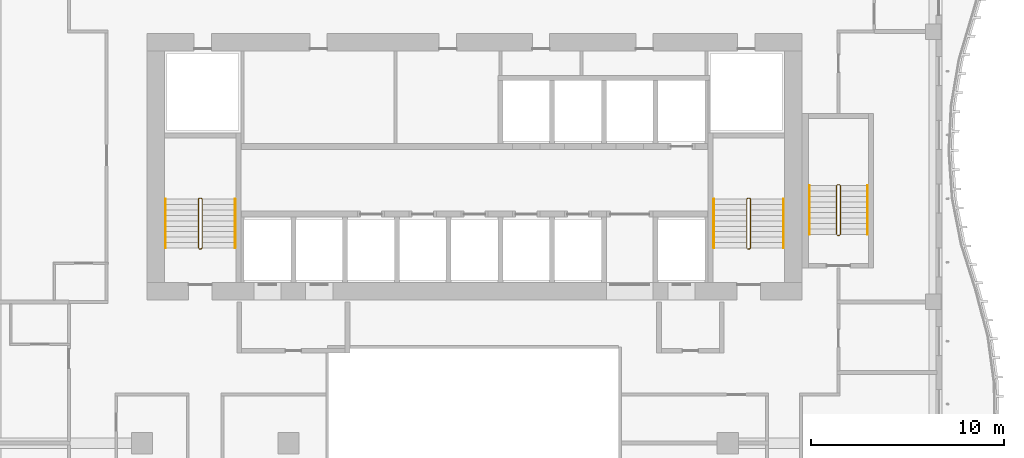
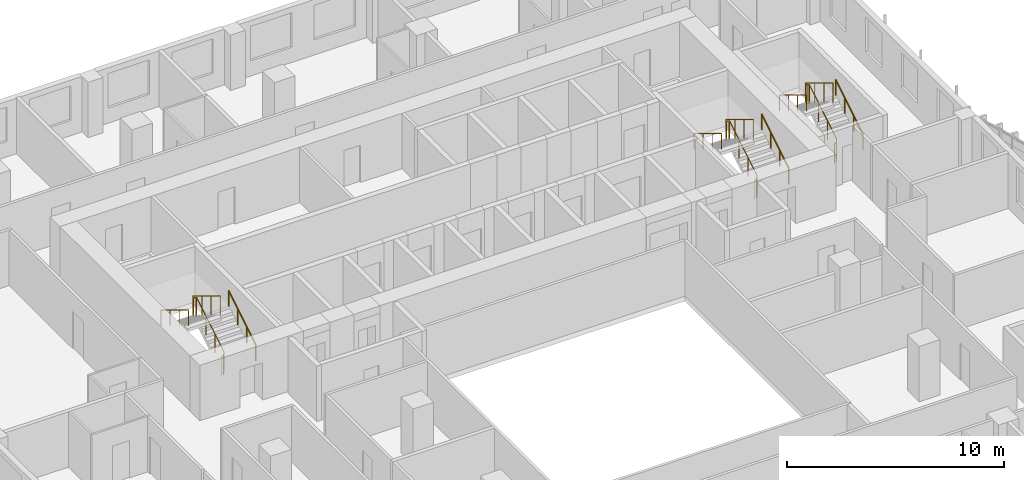
# One storey, part 19 of 20: 9 railings.
"""IFC4 building model written with IfcOpenShell, lengths in metres."""

from ifc_helpers import new_model, si_unit, direction, frame, origin, origin_2d, place, context, subcontext, project, spatial, circle, extrude, material, type_object, element, save


model = new_model("IFC4")

# Units and contexts
model_context = context("Model", 3, precision=1e-05, world=origin(), true_north=direction((0.0, 1.0)))
body_context = subcontext(model_context, "Body", "Model", "MODEL_VIEW")
ifc_project = project(units=[si_unit("LENGTHUNIT", "METRE"), si_unit("AREAUNIT", "SQUARE_METRE"), si_unit("VOLUMEUNIT", "CUBIC_METRE"), si_unit("PLANEANGLEUNIT", "RADIAN"), si_unit("MASSUNIT", "GRAM", prefix="KILO")], contexts=[model_context])

# Site, building, storey
site_placement = place(None, origin())
site = spatial("IfcSite", under=ifc_project, at=site_placement, CompositionType="ELEMENT")
building_placement = place(site_placement, origin())
building = spatial("IfcBuilding", under=site, at=building_placement, Name="Kilnfold Tower and Market Hall", CompositionType="ELEMENT")
storey_placement = place(building_placement, frame((0.0, 0.0, 157.5)))
storey = spatial("IfcBuildingStorey", under=building, at=storey_placement, Name="L36", CompositionType="ELEMENT", Elevation=157.5)

# Railings
ifc_material_1 = material(Name="Stainless steel 316", Category="steel")
railing_type_1 = type_object("IfcRailingType", Name="CORE STAIR GUARD 1100", PredefinedType="GUARDRAIL", material=ifc_material_1)
railing_1_placement = place(storey_placement, frame((-13.199951171875, 10.75, 0.0)))
element("IfcRailing", 1, at=railing_1_placement, inside=storey, type_object=railing_type_1, Name="L36 ST1 stair guard 1", PredefinedType="GUARDRAIL", context=body_context, shape_type="SweptSolid", body=[
    extrude(circle(Radius=0.02392578125, at=origin_2d()), frame((0.0, 0.0, 1.076171875), z_axis=(1.0, 0.0, 0.0), x_axis=(0.0, 1.0, 0.0)), (0.0, 0.0, 1.0), 0.099853515625),
    extrude(circle(Radius=0.02392578125, at=origin_2d()), frame((0.099853515625, 0.0, 1.076171875), z_axis=(0.271895245746, 0.271895245746, 0.923117517265), x_axis=(-0.707106781187, 0.707106781187, 0.0)), (0.0, 0.0, 1.0), 0.18408203125),
    extrude(circle(Radius=0.02392578125, at=origin_2d()), frame((0.14990234375, 0.050048828125, 1.24609375), z_axis=(0.0, 0.85478489116, 0.518982456201), x_axis=(-1.0, 0.0, 0.0)), (0.0, 0.0, 1.0), 2.9482421875),
    extrude(circle(Radius=0.02392578125, at=origin_2d()), frame((0.14990234375, 2.570068359375, 2.77587890625), z_axis=(-0.707106781187, 0.707106781187, 0.0), x_axis=(-0.707106781187, -0.707106781187, 0.0)), (0.0, 0.0, 1.0), 0.07080078125),
    extrude(circle(Radius=0.02392578125, at=origin_2d()), frame((0.099853515625, 2.6201171875, 2.77587890625), z_axis=(-1.0, 0.0, 0.0), x_axis=(0.0, -1.0, 0.0)), (0.0, 0.0, 1.0), 0.099853515625),
    extrude(circle(Radius=0.02392578125, at=origin_2d()), frame((0.0, 2.6201171875, 2.77587890625), z_axis=(-0.271562723297, -0.271562723297, 0.923313259209), x_axis=(0.707106781187, -0.707106781187, 0.0)), (0.0, 0.0, 1.0), 0.184326171875),
    extrude(circle(Radius=0.02392578125, at=origin_2d()), frame((-0.050048828125, 2.570068359375, 2.9462890625), z_axis=(0.0, -0.854821627497, 0.518921945155), x_axis=(1.0, 0.0, 0.0)), (0.0, 0.0, 1.0), 2.947998046875),
    extrude(circle(Radius=0.02099609375, at=origin_2d()), origin(), (0.0, 0.0, 1.0), 1.052001953125),
    extrude(circle(Radius=0.02099609375, at=origin_2d()), frame((0.099853515625, 0.0, 0.0)), (0.0, 0.0, 1.0), 1.052001953125),
    extrude(circle(Radius=0.02099609375, at=origin_2d()), frame((0.14990234375, 0.050048828125, 0.169921875)), (0.0, 0.0, 1.0), 1.052001953125),
    extrude(circle(Radius=0.02099609375, at=origin_2d()), frame((0.14990234375, 0.89013671875, 0.679931640625)), (0.0, 0.0, 1.0), 1.052001953125),
    extrude(circle(Radius=0.02099609375, at=origin_2d()), frame((0.14990234375, 1.72998046875, 1.18994140625)), (0.0, 0.0, 1.0), 1.052001953125),
    extrude(circle(Radius=0.02099609375, at=origin_2d()), frame((0.14990234375, 2.570068359375, 1.699951171875)), (0.0, 0.0, 1.0), 1.052001953125),
    extrude(circle(Radius=0.02099609375, at=origin_2d()), frame((0.099853515625, 2.6201171875, 1.699951171875)), (0.0, 0.0, 1.0), 1.052001953125),
    extrude(circle(Radius=0.02099609375, at=origin_2d()), frame((0.0, 2.6201171875, 1.699951171875)), (0.0, 0.0, 1.0), 1.052001953125),
    extrude(circle(Radius=0.02099609375, at=origin_2d()), frame((-0.050048828125, 2.570068359375, 1.8701171875)), (0.0, 0.0, 1.0), 1.052001953125),
    extrude(circle(Radius=0.02099609375, at=origin_2d()), frame((-0.050048828125, 1.72998046875, 2.380126953125)), (0.0, 0.0, 1.0), 1.052001953125),
    extrude(circle(Radius=0.02099609375, at=origin_2d()), frame((-0.050048828125, 0.89013671875, 2.889892578125)), (0.0, 0.0, 1.0), 1.052001953125),
    extrude(circle(Radius=0.02099609375, at=origin_2d()), frame((-0.050048828125, 0.050048828125, 3.39990234375)), (0.0, 0.0, 1.0), 1.052001953125),
])
railing_2_placement = place(storey_placement, frame((15.199951171875, 10.75, 0.0)))
element("IfcRailing", 2, at=railing_2_placement, inside=storey, type_object=railing_type_1, Name="L36 ST2 stair guard 1", PredefinedType="GUARDRAIL", context=body_context, shape_type="SweptSolid", body=[
    extrude(circle(Radius=0.02392578125, at=origin_2d()), frame((0.0, 0.0, 1.076171875), z_axis=(1.0, 0.0, 0.0), x_axis=(0.0, 1.0, 0.0)), (0.0, 0.0, 1.0), 0.10009765625),
    extrude(circle(Radius=0.02392578125, at=origin_2d()), frame((0.10009765625, 0.0, 1.076171875), z_axis=(0.271895245746, 0.271895245746, 0.923117517265), x_axis=(-0.707106781187, 0.707106781187, 0.0)), (0.0, 0.0, 1.0), 0.18408203125),
    extrude(circle(Radius=0.02392578125, at=origin_2d()), frame((0.150146484375, 0.050048828125, 1.24609375), z_axis=(0.0, 0.85478489116, 0.518982456201), x_axis=(-1.0, 0.0, 0.0)), (0.0, 0.0, 1.0), 2.9482421875),
    extrude(circle(Radius=0.02392578125, at=origin_2d()), frame((0.150146484375, 2.570068359375, 2.77587890625), z_axis=(-0.707106781187, 0.707106781187, 0.0), x_axis=(-0.707106781187, -0.707106781187, 0.0)), (0.0, 0.0, 1.0), 0.07080078125),
    extrude(circle(Radius=0.02392578125, at=origin_2d()), frame((0.10009765625, 2.6201171875, 2.77587890625), z_axis=(-1.0, 0.0, 0.0), x_axis=(0.0, -1.0, 0.0)), (0.0, 0.0, 1.0), 0.10009765625),
    extrude(circle(Radius=0.02392578125, at=origin_2d()), frame((0.0, 2.6201171875, 2.77587890625), z_axis=(-0.271562723297, -0.271562723297, 0.923313259209), x_axis=(0.707106781187, -0.707106781187, 0.0)), (0.0, 0.0, 1.0), 0.184326171875),
    extrude(circle(Radius=0.02392578125, at=origin_2d()), frame((-0.050048828125, 2.570068359375, 2.9462890625), z_axis=(0.0, -0.854821627497, 0.518921945155), x_axis=(1.0, 0.0, 0.0)), (0.0, 0.0, 1.0), 2.947998046875),
    extrude(circle(Radius=0.02099609375, at=origin_2d()), origin(), (0.0, 0.0, 1.0), 1.052001953125),
    extrude(circle(Radius=0.02099609375, at=origin_2d()), frame((0.10009765625, 0.0, 0.0)), (0.0, 0.0, 1.0), 1.052001953125),
    extrude(circle(Radius=0.02099609375, at=origin_2d()), frame((0.150146484375, 0.050048828125, 0.169921875)), (0.0, 0.0, 1.0), 1.052001953125),
    extrude(circle(Radius=0.02099609375, at=origin_2d()), frame((0.150146484375, 0.89013671875, 0.679931640625)), (0.0, 0.0, 1.0), 1.052001953125),
    extrude(circle(Radius=0.02099609375, at=origin_2d()), frame((0.150146484375, 1.72998046875, 1.18994140625)), (0.0, 0.0, 1.0), 1.052001953125),
    extrude(circle(Radius=0.02099609375, at=origin_2d()), frame((0.150146484375, 2.570068359375, 1.699951171875)), (0.0, 0.0, 1.0), 1.052001953125),
    extrude(circle(Radius=0.02099609375, at=origin_2d()), frame((0.10009765625, 2.6201171875, 1.699951171875)), (0.0, 0.0, 1.0), 1.052001953125),
    extrude(circle(Radius=0.02099609375, at=origin_2d()), frame((0.0, 2.6201171875, 1.699951171875)), (0.0, 0.0, 1.0), 1.052001953125),
    extrude(circle(Radius=0.02099609375, at=origin_2d()), frame((-0.050048828125, 2.570068359375, 1.8701171875)), (0.0, 0.0, 1.0), 1.052001953125),
    extrude(circle(Radius=0.02099609375, at=origin_2d()), frame((-0.050048828125, 1.72998046875, 2.380126953125)), (0.0, 0.0, 1.0), 1.052001953125),
    extrude(circle(Radius=0.02099609375, at=origin_2d()), frame((-0.050048828125, 0.89013671875, 2.889892578125)), (0.0, 0.0, 1.0), 1.052001953125),
    extrude(circle(Radius=0.02099609375, at=origin_2d()), frame((-0.050048828125, 0.050048828125, 3.39990234375)), (0.0, 0.0, 1.0), 1.052001953125),
])
railing_3_placement = place(storey_placement, frame((19.85009765625, 11.449951171875, 0.0)))
element("IfcRailing", 3, at=railing_3_placement, inside=storey, type_object=railing_type_1, Name="L36 ST5 stair guard 1", PredefinedType="GUARDRAIL", context=body_context, shape_type="SweptSolid", body=[
    extrude(circle(Radius=0.02392578125, at=origin_2d()), frame((0.0, 0.0, 1.076171875), z_axis=(1.0, 0.0, 0.0), x_axis=(0.0, 1.0, 0.0)), (0.0, 0.0, 1.0), 0.099853515625),
    extrude(circle(Radius=0.02392578125, at=origin_2d()), frame((0.099853515625, 0.0, 1.076171875), z_axis=(0.271895245746, 0.271895245746, 0.923117517265), x_axis=(-0.707106781187, 0.707106781187, 0.0)), (0.0, 0.0, 1.0), 0.18408203125),
    extrude(circle(Radius=0.02392578125, at=origin_2d()), frame((0.14990234375, 0.050048828125, 1.24609375), z_axis=(0.0, 0.85478489116, 0.518982456201), x_axis=(-1.0, 0.0, 0.0)), (0.0, 0.0, 1.0), 2.9482421875),
    extrude(circle(Radius=0.02392578125, at=origin_2d()), frame((0.14990234375, 2.570068359375, 2.77587890625), z_axis=(-0.707106781187, 0.707106781187, 0.0), x_axis=(-0.707106781187, -0.707106781187, 0.0)), (0.0, 0.0, 1.0), 0.07080078125),
    extrude(circle(Radius=0.02392578125, at=origin_2d()), frame((0.099853515625, 2.6201171875, 2.77587890625), z_axis=(-1.0, 0.0, 0.0), x_axis=(0.0, -1.0, 0.0)), (0.0, 0.0, 1.0), 0.099853515625),
    extrude(circle(Radius=0.02392578125, at=origin_2d()), frame((0.0, 2.6201171875, 2.77587890625), z_axis=(-0.271562723297, -0.271562723297, 0.923313259209), x_axis=(0.707106781187, -0.707106781187, 0.0)), (0.0, 0.0, 1.0), 0.184326171875),
    extrude(circle(Radius=0.02392578125, at=origin_2d()), frame((-0.050048828125, 2.570068359375, 2.9462890625), z_axis=(0.0, -0.854821627497, 0.518921945155), x_axis=(1.0, 0.0, 0.0)), (0.0, 0.0, 1.0), 2.947998046875),
    extrude(circle(Radius=0.02099609375, at=origin_2d()), origin(), (0.0, 0.0, 1.0), 1.052001953125),
    extrude(circle(Radius=0.02099609375, at=origin_2d()), frame((0.099853515625, 0.0, 0.0)), (0.0, 0.0, 1.0), 1.052001953125),
    extrude(circle(Radius=0.02099609375, at=origin_2d()), frame((0.14990234375, 0.050048828125, 0.169921875)), (0.0, 0.0, 1.0), 1.052001953125),
    extrude(circle(Radius=0.02099609375, at=origin_2d()), frame((0.14990234375, 0.89013671875, 0.679931640625)), (0.0, 0.0, 1.0), 1.052001953125),
    extrude(circle(Radius=0.02099609375, at=origin_2d()), frame((0.14990234375, 1.72998046875, 1.18994140625)), (0.0, 0.0, 1.0), 1.052001953125),
    extrude(circle(Radius=0.02099609375, at=origin_2d()), frame((0.14990234375, 2.570068359375, 1.699951171875)), (0.0, 0.0, 1.0), 1.052001953125),
    extrude(circle(Radius=0.02099609375, at=origin_2d()), frame((0.099853515625, 2.6201171875, 1.699951171875)), (0.0, 0.0, 1.0), 1.052001953125),
    extrude(circle(Radius=0.02099609375, at=origin_2d()), frame((0.0, 2.6201171875, 1.699951171875)), (0.0, 0.0, 1.0), 1.052001953125),
    extrude(circle(Radius=0.02099609375, at=origin_2d()), frame((-0.050048828125, 2.570068359375, 1.8701171875)), (0.0, 0.0, 1.0), 1.052001953125),
    extrude(circle(Radius=0.02099609375, at=origin_2d()), frame((-0.050048828125, 1.72998046875, 2.380126953125)), (0.0, 0.0, 1.0), 1.052001953125),
    extrude(circle(Radius=0.02099609375, at=origin_2d()), frame((-0.050048828125, 0.89013671875, 2.889892578125)), (0.0, 0.0, 1.0), 1.052001953125),
    extrude(circle(Radius=0.02099609375, at=origin_2d()), frame((-0.050048828125, 0.050048828125, 3.39990234375)), (0.0, 0.0, 1.0), 1.052001953125),
])
ifc_material_2 = material(Name="Stainless steel 316", Category="steel")
railing_type_2 = type_object("IfcRailingType", Name="CORE STAIR HANDRAIL 900", PredefinedType="HANDRAIL", material=ifc_material_2)
railing_4_placement = place(storey_placement, frame((-11.35009765625, 10.800048828125, 0.169921875)))
element("IfcRailing", 4, at=railing_4_placement, inside=storey, type_object=railing_type_2, Name="L36 ST1 stair handrail 1", PredefinedType="HANDRAIL", context=body_context, shape_type="SweptSolid", body=[
    extrude(circle(Radius=0.02392578125, at=origin_2d()), frame((0.0, 0.0, 0.8759765625), z_axis=(0.0, 0.85478489116, 0.518982456201), x_axis=(-1.0, 0.0, 0.0)), (0.0, 0.0, 1.0), 2.9482421875),
    extrude(circle(Radius=0.02099609375, at=origin_2d()), origin(), (0.0, 0.0, 1.0), 0.851806640625),
    extrude(circle(Radius=0.02099609375, at=origin_2d()), frame((0.0, 0.840087890625, 0.510009765625)), (0.0, 0.0, 1.0), 0.851806640625),
    extrude(circle(Radius=0.02099609375, at=origin_2d()), frame((0.0, 1.679931640625, 1.02001953125)), (0.0, 0.0, 1.0), 0.851806640625),
    extrude(circle(Radius=0.02099609375, at=origin_2d()), frame((0.0, 2.52001953125, 1.530029296875)), (0.0, 0.0, 1.0), 0.851806640625),
])
railing_5_placement = place(storey_placement, frame((-14.949951171875, 13.320068359375, 1.8701171875)))
element("IfcRailing", 5, at=railing_5_placement, inside=storey, type_object=railing_type_2, Name="L36 ST1 stair handrail 2", PredefinedType="HANDRAIL", context=body_context, shape_type="SweptSolid", body=[
    extrude(circle(Radius=0.02392578125, at=origin_2d()), frame((0.0, 0.0, 0.8759765625), z_axis=(0.0, -0.854821627497, 0.518921945155), x_axis=(1.0, 0.0, 0.0)), (0.0, 0.0, 1.0), 2.947998046875),
    extrude(circle(Radius=0.02099609375, at=origin_2d()), origin(), (0.0, 0.0, 1.0), 0.851806640625),
    extrude(circle(Radius=0.02099609375, at=origin_2d()), frame((0.0, -0.840087890625, 0.510009765625)), (0.0, 0.0, 1.0), 0.851806640625),
    extrude(circle(Radius=0.02099609375, at=origin_2d()), frame((0.0, -1.679931640625, 1.019775390625)), (0.0, 0.0, 1.0), 0.851806640625),
    extrude(circle(Radius=0.02099609375, at=origin_2d()), frame((0.0, -2.52001953125, 1.52978515625)), (0.0, 0.0, 1.0), 0.851806640625),
])
railing_6_placement = place(storey_placement, frame((17.050048828125, 10.800048828125, 0.169921875)))
element("IfcRailing", 6, at=railing_6_placement, inside=storey, type_object=railing_type_2, Name="L36 ST2 stair handrail 1", PredefinedType="HANDRAIL", context=body_context, shape_type="SweptSolid", body=[
    extrude(circle(Radius=0.02392578125, at=origin_2d()), frame((0.0, 0.0, 0.8759765625), z_axis=(0.0, 0.85478489116, 0.518982456201), x_axis=(-1.0, 0.0, 0.0)), (0.0, 0.0, 1.0), 2.9482421875),
    extrude(circle(Radius=0.02099609375, at=origin_2d()), origin(), (0.0, 0.0, 1.0), 0.851806640625),
    extrude(circle(Radius=0.02099609375, at=origin_2d()), frame((0.0, 0.840087890625, 0.510009765625)), (0.0, 0.0, 1.0), 0.851806640625),
    extrude(circle(Radius=0.02099609375, at=origin_2d()), frame((0.0, 1.679931640625, 1.02001953125)), (0.0, 0.0, 1.0), 0.851806640625),
    extrude(circle(Radius=0.02099609375, at=origin_2d()), frame((0.0, 2.52001953125, 1.530029296875)), (0.0, 0.0, 1.0), 0.851806640625),
])
railing_7_placement = place(storey_placement, frame((13.449951171875, 13.320068359375, 1.8701171875)))
element("IfcRailing", 7, at=railing_7_placement, inside=storey, type_object=railing_type_2, Name="L36 ST2 stair handrail 2", PredefinedType="HANDRAIL", context=body_context, shape_type="SweptSolid", body=[
    extrude(circle(Radius=0.02392578125, at=origin_2d()), frame((0.0, 0.0, 0.8759765625), z_axis=(0.0, -0.854821627497, 0.518921945155), x_axis=(1.0, 0.0, 0.0)), (0.0, 0.0, 1.0), 2.947998046875),
    extrude(circle(Radius=0.02099609375, at=origin_2d()), origin(), (0.0, 0.0, 1.0), 0.851806640625),
    extrude(circle(Radius=0.02099609375, at=origin_2d()), frame((0.0, -0.840087890625, 0.510009765625)), (0.0, 0.0, 1.0), 0.851806640625),
    extrude(circle(Radius=0.02099609375, at=origin_2d()), frame((0.0, -1.679931640625, 1.019775390625)), (0.0, 0.0, 1.0), 0.851806640625),
    extrude(circle(Radius=0.02099609375, at=origin_2d()), frame((0.0, -2.52001953125, 1.52978515625)), (0.0, 0.0, 1.0), 0.851806640625),
])
railing_8_placement = place(storey_placement, frame((21.39990234375, 11.5, 0.169921875)))
element("IfcRailing", 8, at=railing_8_placement, inside=storey, type_object=railing_type_2, Name="L36 ST5 stair handrail 1", PredefinedType="HANDRAIL", context=body_context, shape_type="SweptSolid", body=[
    extrude(circle(Radius=0.02392578125, at=origin_2d()), frame((0.0, 0.0, 0.8759765625), z_axis=(0.0, 0.85478489116, 0.518982456201), x_axis=(-1.0, 0.0, 0.0)), (0.0, 0.0, 1.0), 2.9482421875),
    extrude(circle(Radius=0.02099609375, at=origin_2d()), origin(), (0.0, 0.0, 1.0), 0.851806640625),
    extrude(circle(Radius=0.02099609375, at=origin_2d()), frame((0.0, 0.840087890625, 0.510009765625)), (0.0, 0.0, 1.0), 0.851806640625),
    extrude(circle(Radius=0.02099609375, at=origin_2d()), frame((0.0, 1.679931640625, 1.02001953125)), (0.0, 0.0, 1.0), 0.851806640625),
    extrude(circle(Radius=0.02099609375, at=origin_2d()), frame((0.0, 2.52001953125, 1.530029296875)), (0.0, 0.0, 1.0), 0.851806640625),
])
railing_9_placement = place(storey_placement, frame((18.39990234375, 14.02001953125, 1.8701171875)))
element("IfcRailing", 9, at=railing_9_placement, inside=storey, type_object=railing_type_2, Name="L36 ST5 stair handrail 2", PredefinedType="HANDRAIL", context=body_context, shape_type="SweptSolid", body=[
    extrude(circle(Radius=0.02392578125, at=origin_2d()), frame((0.0, 0.0, 0.8759765625), z_axis=(0.0, -0.854821627497, 0.518921945155), x_axis=(1.0, 0.0, 0.0)), (0.0, 0.0, 1.0), 2.947998046875),
    extrude(circle(Radius=0.02099609375, at=origin_2d()), origin(), (0.0, 0.0, 1.0), 0.851806640625),
    extrude(circle(Radius=0.02099609375, at=origin_2d()), frame((0.0, -0.840087890625, 0.510009765625)), (0.0, 0.0, 1.0), 0.851806640625),
    extrude(circle(Radius=0.02099609375, at=origin_2d()), frame((0.0, -1.679931640625, 1.019775390625)), (0.0, 0.0, 1.0), 0.851806640625),
    extrude(circle(Radius=0.02099609375, at=origin_2d()), frame((0.0, -2.52001953125, 1.52978515625)), (0.0, 0.0, 1.0), 0.851806640625),
])

save(model, "model.ifc")
